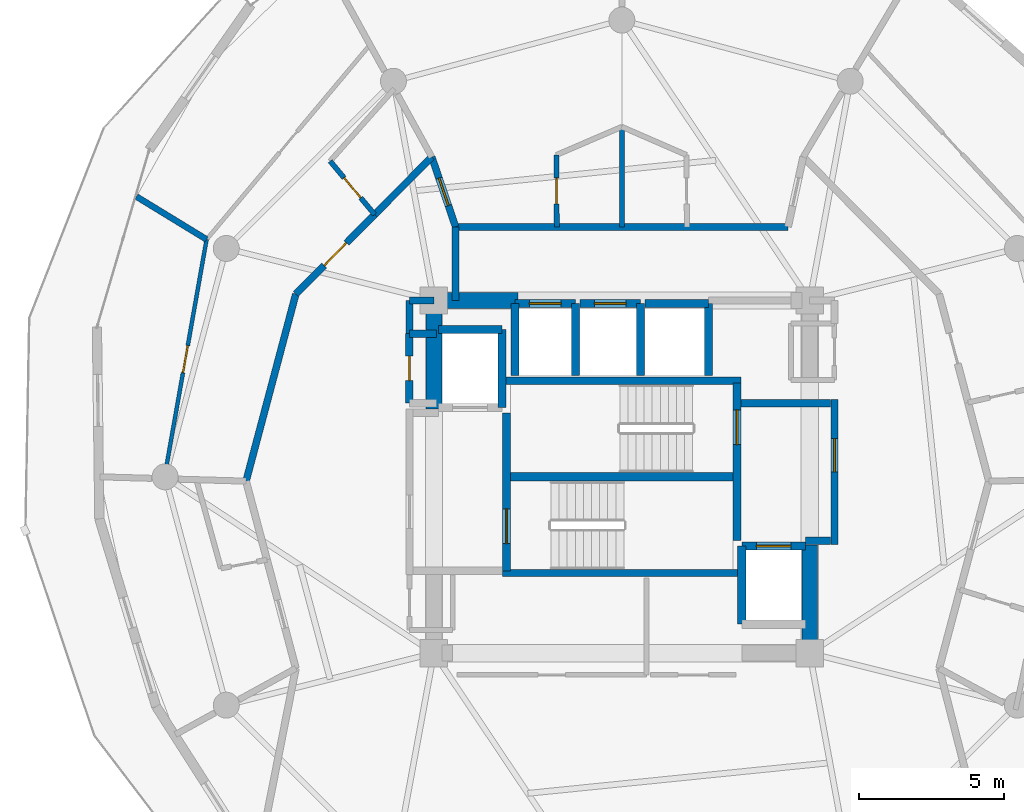
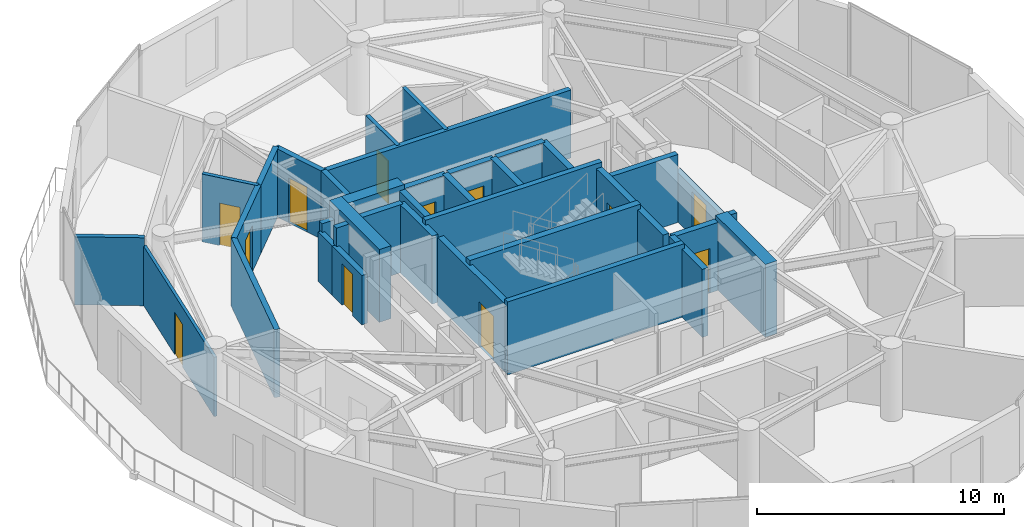
# One storey, part 17 of 21: 37 walls, 12 doors, 12 openings.
"""IFC4 building model written with IfcOpenShell, lengths in metres."""

from ifc_helpers import new_model, si_unit, direction, frame, frame_2d, origin, place, context, subcontext, project, spatial, rectangle, extrude, material, layer, layer_set, type_object, element, fill, save


model = new_model("IFC4")

# Units and contexts
model_context = context("Model", 3, precision=1e-05, world=origin(), true_north=direction((0.0, 1.0)))
body_context = subcontext(model_context, "Body", "Model", "MODEL_VIEW")
ifc_project = project(units=[si_unit("LENGTHUNIT", "METRE"), si_unit("AREAUNIT", "SQUARE_METRE"), si_unit("VOLUMEUNIT", "CUBIC_METRE"), si_unit("PLANEANGLEUNIT", "RADIAN"), si_unit("MASSUNIT", "GRAM", prefix="KILO")], contexts=[model_context])

# Site, building, storey
site_placement = place(None, origin())
site = spatial("IfcSite", under=ifc_project, at=site_placement, CompositionType="ELEMENT")
building_placement = place(site_placement, origin())
building = spatial("IfcBuilding", under=site, at=building_placement, Name="Solvirekh Grand Hotel", CompositionType="ELEMENT")
storey_placement = place(building_placement, frame((0.0, 0.0, 205.60009765625)))
storey = spatial("IfcBuildingStorey", under=building, at=storey_placement, Name="L53", CompositionType="ELEMENT", Elevation=205.60009765625)

# Walls
ifc_material_1 = material(Name="Concrete C50/60", Category="concrete")
ifc_layer_1 = layer(ifc_material_1, 0.35009765625)
ifc_layer_set_1 = layer_set([ifc_layer_1], Name="Concrete C50/60")
wall_type_1 = type_object("IfcWallType", Name="CoreDivWall_RC350", PredefinedType="SOLIDWALL", material=ifc_layer_set_1)
for number, where, z_axis, x_axis, name in (
    (1, (-4.1298828125, -3.324951171875, 0.0), (0.0, 0.0, 1.0), (1.0, 0.0, 0.0), "L53 core stair box wall ST-S"),
    (2, (-4.1298828125, 3.324951171875, 0.0), (0.0, 0.0, 1.0), (1.0, 0.0, 0.0), "L53 core stair box wall ST-N"),
):
    element("IfcWall", number, at=place(storey_placement, frame(where, z_axis=z_axis, x_axis=x_axis)), inside=storey, type_object=wall_type_1, Name=name, PredefinedType="SOLIDWALL", context=body_context, shape_type="SweptSolid", body=[
        extrude(rectangle(XDim=8.259765625, YDim=0.25, at=frame_2d((4.1298828125, 0.0))), origin(), (0.0, 0.0, 1.0), 3.599853515625),
    ])

# Wall, opening, door
ifc_material_2 = material(Name="Concrete C40/50", Category="concrete")
ifc_layer_2 = layer(ifc_material_2, 0.280029296875)
ifc_layer_set_2 = layer_set([ifc_layer_2], Name="Concrete C40/50")
wall_type_2 = type_object("IfcWallType", Name="CoreShaftWall_RC280", PredefinedType="SOLIDWALL", material=ifc_layer_set_2)
wall_1_placement = place(storey_placement, frame((-1.60009765625, 6.0, 0.0), z_axis=(0.0, 0.0, 1.0), x_axis=(-1.0, 0.0, 0.0)))
wall_1 = element("IfcWall", 3, at=wall_1_placement, inside=storey, type_object=wall_type_2, Name="L53 HP-1 hoistway N wall", PredefinedType="SOLIDWALL", context=body_context, shape_type="SweptSolid", body=[
    extrude(rectangle(XDim=2.099853515625, YDim=0.280029296875, at=frame_2d((1.0498046875, 0.0))), origin(), (0.0, 0.0, 1.0), 3.35986328125),
])
opening_1_placement = place(wall_1_placement, frame((0.5, 0.0, 0.0)))
opening_1 = element("IfcOpeningElement", 4, at=opening_1_placement, cuts=wall_1, Name="Opening LD01", PredefinedType="OPENING", context=body_context, shape_type="SweptSolid", body=[
    extrude(rectangle(XDim=1.10009765625, YDim=2.199951171875, at=frame_2d((0.550048828125, 1.10009765625))), frame((0.0, 0.14990234375, 0.0), z_axis=(0.0, -1.0, 0.0), x_axis=(1.0, 0.0, 0.0)), (0.0, 0.0, 1.0), 0.300048828125),
])
ifc_material_3 = material(Name="Fire-Rated Steel Door Assembly", Category="steel")
door_type_1 = type_object("IfcDoorType", Name="Door_LiftLanding_1100X2200", OperationType="SLIDING_TO_LEFT", PredefinedType="DOOR", material=ifc_material_3)
door_1_placement = place(opening_1_placement, origin())
door_1 = element("IfcDoor", 5, at=door_1_placement, inside=storey, type_object=door_type_1, Name="L53 HP-1 sliding lift landing door", OperationType="SLIDING_TO_LEFT", OverallHeight=2.199951171875, OverallWidth=1.10009765625, PredefinedType="DOOR", context=body_context, shape_type="SweptSolid", body=[
    extrude(rectangle(XDim=1.10009765625, YDim=2.199951171875, at=frame_2d((0.550048828125, 1.10009765625))), frame((0.0, 0.02490234375, 0.0), z_axis=(0.0, -1.0, 0.0), x_axis=(1.0, 0.0, 0.0)), (0.0, 0.0, 1.0), 0.050048828125),
])
fill(opening_1, door_1)

# Walls
for number, where, z_axis, x_axis, name in (
    (6, (-3.699951171875, 6.0, 0.0), (0.0, 0.0, 1.0), (0.0, -1.0, 0.0), "L53 HP-1 hoistway W wall"),
    (7, (-1.60009765625, 3.5, 0.0), (0.0, 0.0, 1.0), (0.0, 1.0, 0.0), "L53 HP-1 hoistway E wall"),
):
    element("IfcWall", number, at=place(storey_placement, frame(where, z_axis=z_axis, x_axis=x_axis)), inside=storey, type_object=wall_type_2, Name=name, PredefinedType="SOLIDWALL", context=body_context, shape_type="SweptSolid", body=[
        extrude(rectangle(XDim=2.5, YDim=0.280029296875, at=frame_2d((1.25, 0.0))), origin(), (0.0, 0.0, 1.0), 3.35986328125),
    ])

# Wall, opening, door
wall_2_placement = place(storey_placement, frame((0.64990234375, 6.0, 0.0), z_axis=(0.0, 0.0, 1.0), x_axis=(-1.0, 0.0, 0.0)))
wall_2 = element("IfcWall", 8, at=wall_2_placement, inside=storey, type_object=wall_type_2, Name="L53 HP-2 hoistway N wall", PredefinedType="SOLIDWALL", context=body_context, shape_type="SweptSolid", body=[
    extrude(rectangle(XDim=2.099853515625, YDim=0.280029296875, at=frame_2d((1.0498046875, 0.0))), origin(), (0.0, 0.0, 1.0), 3.35986328125),
])
opening_2_placement = place(wall_2_placement, frame((0.5, 0.0, 0.0)))
opening_2 = element("IfcOpeningElement", 9, at=opening_2_placement, cuts=wall_2, Name="Opening LD01", PredefinedType="OPENING", context=body_context, shape_type="SweptSolid", body=[
    extrude(rectangle(XDim=1.10009765625, YDim=2.199951171875, at=frame_2d((0.550048828125, 1.10009765625))), frame((0.0, 0.14990234375, 0.0), z_axis=(0.0, -1.0, 0.0), x_axis=(1.0, 0.0, 0.0)), (0.0, 0.0, 1.0), 0.300048828125),
])
door_2_placement = place(opening_2_placement, origin())
door_2 = element("IfcDoor", 10, at=door_2_placement, inside=storey, type_object=door_type_1, Name="L53 HP-2 sliding lift landing door", OperationType="SLIDING_TO_LEFT", OverallHeight=2.199951171875, OverallWidth=1.10009765625, PredefinedType="DOOR", context=body_context, shape_type="SweptSolid", body=[
    extrude(rectangle(XDim=1.10009765625, YDim=2.199951171875, at=frame_2d((0.550048828125, 1.10009765625))), frame((0.0, 0.02490234375, 0.0), z_axis=(0.0, -1.0, 0.0), x_axis=(1.0, 0.0, 0.0)), (0.0, 0.0, 1.0), 0.050048828125),
])
fill(opening_2, door_2)

# Walls
wall_3_placement = place(storey_placement, frame((0.64990234375, 3.5, 0.0), z_axis=(0.0, 0.0, 1.0), x_axis=(0.0, 1.0, 0.0)))
element("IfcWall", 11, at=wall_3_placement, inside=storey, type_object=wall_type_2, Name="L53 HP-2 hoistway E wall", PredefinedType="SOLIDWALL", context=body_context, shape_type="SweptSolid", body=[
    extrude(rectangle(XDim=2.5, YDim=0.280029296875, at=frame_2d((1.25, 0.0))), origin(), (0.0, 0.0, 1.0), 3.35986328125),
])
wall_4_placement = place(storey_placement, frame((3.0, 6.0, 0.0), z_axis=(0.0, 0.0, 1.0), x_axis=(-1.0, 0.0, 0.0)))
element("IfcWall", 12, at=wall_4_placement, inside=storey, type_object=wall_type_2, Name="L53 EX-1 hoistway N wall", PredefinedType="SOLIDWALL", context=body_context, shape_type="SweptSolid", body=[
    extrude(rectangle(XDim=2.199951171875, YDim=0.280029296875, at=frame_2d((1.10009765625, 0.0))), origin(), (0.0, 0.0, 1.0), 3.35986328125),
])
wall_5_placement = place(storey_placement, frame((3.0, 3.5, 0.0), z_axis=(0.0, 0.0, 1.0), x_axis=(0.0, 1.0, 0.0)))
element("IfcWall", 13, at=wall_5_placement, inside=storey, type_object=wall_type_2, Name="L53 EX-1 hoistway E wall", PredefinedType="SOLIDWALL", context=body_context, shape_type="SweptSolid", body=[
    extrude(rectangle(XDim=2.5, YDim=0.280029296875, at=frame_2d((1.25, 0.0))), origin(), (0.0, 0.0, 1.0), 3.35986328125),
])
wall_6_placement = place(storey_placement, frame((-4.14990234375, 5.10009765625, 0.0), z_axis=(0.0, 0.0, 1.0), x_axis=(-1.0, 0.0, 0.0)))
element("IfcWall", 14, at=wall_6_placement, inside=storey, type_object=wall_type_2, Name="L53 FL-1 hoistway N wall", PredefinedType="SOLIDWALL", context=body_context, shape_type="SweptSolid", body=[
    extrude(rectangle(XDim=2.2001953125, YDim=0.280029296875, at=frame_2d((1.10009765625, 0.0))), origin(), (0.0, 0.0, 1.0), 3.35986328125),
])
wall_7_placement = place(storey_placement, frame((-4.14990234375, 2.39990234375, 0.0), z_axis=(0.0, 0.0, 1.0), x_axis=(0.0, 1.0, 0.0)))
element("IfcWall", 15, at=wall_7_placement, inside=storey, type_object=wall_type_2, Name="L53 FL-1 hoistway E wall", PredefinedType="SOLIDWALL", context=body_context, shape_type="SweptSolid", body=[
    extrude(rectangle(XDim=2.7001953125, YDim=0.280029296875, at=frame_2d((1.35009765625, 0.0))), origin(), (0.0, 0.0, 1.0), 3.35986328125),
])

# Wall, opening, door
wall_8_placement = place(storey_placement, frame((6.35009765625, -2.39990234375, 0.0), z_axis=(0.0, 0.0, 1.0), x_axis=(-1.0, 0.0, 0.0)))
wall_8 = element("IfcWall", 16, at=wall_8_placement, inside=storey, type_object=wall_type_2, Name="L53 FL-2 hoistway N wall", PredefinedType="SOLIDWALL", context=body_context, shape_type="SweptSolid", body=[
    extrude(rectangle(XDim=2.2001953125, YDim=0.280029296875, at=frame_2d((1.10009765625, 0.0))), origin(), (0.0, 0.0, 1.0), 3.35986328125),
])
opening_3_placement = place(wall_8_placement, frame((0.5, 0.0, 0.0)))
opening_3 = element("IfcOpeningElement", 17, at=opening_3_placement, cuts=wall_8, Name="Opening LD02", PredefinedType="OPENING", context=body_context, shape_type="SweptSolid", body=[
    extrude(rectangle(XDim=1.199951171875, YDim=2.199951171875, at=frame_2d((0.60009765625, 1.10009765625))), frame((0.0, 0.14990234375, 0.0), z_axis=(0.0, -1.0, 0.0), x_axis=(1.0, 0.0, 0.0)), (0.0, 0.0, 1.0), 0.300048828125),
])
door_type_2 = type_object("IfcDoorType", Name="Door_LiftFF_1200X2200", OperationType="SLIDING_TO_LEFT", PredefinedType="DOOR", material=ifc_material_3)
door_3_placement = place(opening_3_placement, origin())
door_3 = element("IfcDoor", 18, at=door_3_placement, inside=storey, type_object=door_type_2, Name="L53 FL-2 sliding lift landing door", OperationType="SLIDING_TO_LEFT", OverallHeight=2.199951171875, OverallWidth=1.199951171875, PredefinedType="DOOR", context=body_context, shape_type="SweptSolid", body=[
    extrude(rectangle(XDim=1.199951171875, YDim=2.199951171875, at=frame_2d((0.60009765625, 1.10009765625))), frame((0.0, 0.02490234375, 0.0), z_axis=(0.0, -1.0, 0.0), x_axis=(1.0, 0.0, 0.0)), (0.0, 0.0, 1.0), 0.050048828125),
])
fill(opening_3, door_3)

# Wall
wall_9_placement = place(storey_placement, frame((4.14990234375, -2.39990234375, 0.0), z_axis=(0.0, 0.0, 1.0), x_axis=(0.0, -1.0, 0.0)))
element("IfcWall", 19, at=wall_9_placement, inside=storey, type_object=wall_type_2, Name="L53 FL-2 hoistway W wall", PredefinedType="SOLIDWALL", context=body_context, shape_type="SweptSolid", body=[
    extrude(rectangle(XDim=2.7001953125, YDim=0.280029296875, at=frame_2d((1.35009765625, 0.0))), origin(), (0.0, 0.0, 1.0), 3.35986328125),
])

# Wall, opening, door
wall_10_placement = place(storey_placement, frame((-3.989990234375, -3.25, 0.0), z_axis=(0.0, 0.0, 1.0), x_axis=(0.0, 1.0, 0.0)))
wall_10 = element("IfcWall", 20, at=wall_10_placement, inside=storey, type_object=wall_type_2, Name="L53 west stair landing enclosure wall", PredefinedType="SOLIDWALL", context=body_context, shape_type="SweptSolid", body=[
    extrude(rectangle(XDim=5.4599609375, YDim=0.280029296875, at=frame_2d((2.72998046875, 0.0))), origin(), (0.0, 0.0, 1.0), 3.35986328125),
])
opening_4_placement = place(wall_10_placement, frame((0.93701171875, 0.0, 0.0)))
opening_4 = element("IfcOpeningElement", 21, at=opening_4_placement, cuts=wall_10, Name="Opening D05", PredefinedType="OPENING", context=body_context, shape_type="SweptSolid", body=[
    extrude(rectangle(XDim=1.199951171875, YDim=2.199951171875, at=frame_2d((0.60009765625, 1.10009765625))), frame((0.0, 0.14990234375, 0.0), z_axis=(0.0, -1.0, 0.0), x_axis=(1.0, 0.0, 0.0)), (0.0, 0.0, 1.0), 0.300048828125),
])
door_type_3 = type_object("IfcDoorType", Name="Door_StairCore_1200X2200", OperationType="NOTDEFINED", PredefinedType="DOOR", material=ifc_material_3)
door_4_placement = place(opening_4_placement, origin())
door_4 = element("IfcDoor", 22, at=door_4_placement, inside=storey, type_object=door_type_3, Name="L53 exit stair ST-1 fire door", OperationType="SINGLE_SWING_RIGHT", OverallHeight=2.199951171875, OverallWidth=1.199951171875, PredefinedType="DOOR", context=body_context, shape_type="SweptSolid", body=[
    extrude(rectangle(XDim=1.199951171875, YDim=2.199951171875, at=frame_2d((0.60009765625, 1.10009765625))), frame((0.0, 0.02490234375, 0.0), z_axis=(0.0, -1.0, 0.0), x_axis=(1.0, 0.0, 0.0)), (0.0, 0.0, 1.0), 0.050048828125),
])
fill(opening_4, door_4)

wall_11_placement = place(storey_placement, frame((3.989990234375, -2.2099609375, 0.0), z_axis=(0.0, 0.0, 1.0), x_axis=(0.0, 1.0, 0.0)))
wall_11 = element("IfcWall", 23, at=wall_11_placement, inside=storey, type_object=wall_type_2, Name="L53 east stair landing enclosure wall", PredefinedType="SOLIDWALL", context=body_context, shape_type="SweptSolid", body=[
    extrude(rectangle(XDim=5.4599609375, YDim=0.280029296875, at=frame_2d((2.72998046875, 0.0))), origin(), (0.0, 0.0, 1.0), 3.35986328125),
])
opening_5_placement = place(wall_11_placement, frame((3.322998046875, 0.0, 0.0)))
opening_5 = element("IfcOpeningElement", 24, at=opening_5_placement, cuts=wall_11, Name="Opening D05", PredefinedType="OPENING", context=body_context, shape_type="SweptSolid", body=[
    extrude(rectangle(XDim=1.199951171875, YDim=2.199951171875, at=frame_2d((0.60009765625, 1.10009765625))), frame((0.0, 0.14990234375, 0.0), z_axis=(0.0, -1.0, 0.0), x_axis=(1.0, 0.0, 0.0)), (0.0, 0.0, 1.0), 0.300048828125),
])
door_5_placement = place(opening_5_placement, origin())
door_5 = element("IfcDoor", 25, at=door_5_placement, inside=storey, type_object=door_type_3, Name="L53 exit stair ST-2 fire door", OperationType="SINGLE_SWING_LEFT", OverallHeight=2.199951171875, OverallWidth=1.199951171875, PredefinedType="DOOR", context=body_context, shape_type="SweptSolid", body=[
    extrude(rectangle(XDim=1.199951171875, YDim=2.199951171875, at=frame_2d((0.60009765625, 1.10009765625))), frame((0.0, 0.02490234375, 0.0), z_axis=(0.0, -1.0, 0.0), x_axis=(1.0, 0.0, 0.0)), (0.0, 0.0, 1.0), 0.050048828125),
])
fill(opening_5, door_5)

# Walls
ifc_layer_3 = layer(ifc_material_1, 0.550048828125)
ifc_layer_set_3 = layer_set([ifc_layer_3], Name="Concrete C50/60")
wall_type_3 = type_object("IfcWallType", Name="CoreWall_RC550", PredefinedType="SHEAR", material=ifc_layer_set_3)
wall_12_placement = place(storey_placement, frame((-3.989990234375, 0.0, 0.0), z_axis=(0.0, 0.0, 1.0), x_axis=(1.0, 0.0, 0.0)))
element("IfcWall", 26, at=wall_12_placement, inside=storey, type_object=wall_type_3, Name="L53 central stair-spine shear wall", PredefinedType="SHEAR", context=body_context, shape_type="SweptSolid", body=[
    extrude(rectangle(XDim=7.97998046875, YDim=0.300048828125, at=frame_2d((3.989990234375, 0.0))), origin(), (0.0, 0.0, 1.0), 3.599853515625),
])
wall_13_placement = place(storey_placement, frame((-6.22509765625, 6.10009765625, 0.0), z_axis=(0.0, 0.0, 1.0), x_axis=(1.0, 0.0, 0.0)))
element("IfcWall", 27, at=wall_13_placement, inside=storey, type_object=wall_type_3, Name="L53 core corner shear wall NW-N", PredefinedType="SHEAR", context=body_context, shape_type="SweptSolid", body=[
    extrude(rectangle(XDim=2.625, YDim=0.550048828125, at=frame_2d((1.3125, 0.0))), origin(), (0.0, 0.0, 1.0), 3.599853515625),
])
for number, where, z_axis, x_axis, name in (
    (28, (-6.5, 2.35009765625, 0.0), (0.0, 0.0, 1.0), (0.0, 1.0, 0.0), "L53 core corner shear wall WN-W"),
    (29, (6.5, -6.375, 0.0), (0.0, 0.0, 1.0), (0.0, 1.0, 0.0), "L53 core corner shear wall ES-E"),
):
    element("IfcWall", number, at=place(storey_placement, frame(where, z_axis=z_axis, x_axis=x_axis)), inside=storey, type_object=wall_type_3, Name=name, PredefinedType="SHEAR", context=body_context, shape_type="SweptSolid", body=[
        extrude(rectangle(XDim=4.02490234375, YDim=0.550048828125, at=frame_2d((2.012451171875, 0.0))), origin(), (0.0, 0.0, 1.0), 3.599853515625),
    ])

# Wall, opening, door
ifc_material_4 = material(Name="Acoustic Gypsum Partition Assembly")
ifc_layer_4 = layer(ifc_material_4, 0.239990234375)
ifc_layer_set_4 = layer_set([ifc_layer_4], Name="Acoustic Gypsum Partition Assembly")
wall_type_4 = type_object("IfcWallType", Name="Part_Corridor_240", PredefinedType="PARTITIONING", material=ifc_layer_set_4)
wall_14_placement = place(storey_placement, frame((7.35009765625, -2.340087890625, 0.0), z_axis=(0.0, 0.0, 1.0), x_axis=(0.0, 1.0, 0.0)))
wall_14 = element("IfcWall", 30, at=wall_14_placement, inside=storey, type_object=wall_type_4, Name="L53 east firefighting lobby smoke screen wall", PredefinedType="PARTITIONING", context=body_context, shape_type="SweptSolid", body=[
    extrude(rectangle(XDim=5.02001953125, YDim=0.239990234375, at=frame_2d((2.510009765625, 0.0))), origin(), (0.0, 0.0, 1.0), 2.44482421875),
])
opening_6_placement = place(wall_14_placement, frame((2.514892578125, 0.0, 0.0)))
opening_6 = element("IfcOpeningElement", 31, at=opening_6_placement, cuts=wall_14, Name="Opening D06", PredefinedType="OPENING", context=body_context, shape_type="SweptSolid", body=[
    extrude(rectangle(XDim=1.14990234375, YDim=2.199951171875, at=frame_2d((0.574951171875, 1.10009765625))), frame((0.0, 0.1298828125, 0.0), z_axis=(0.0, -1.0, 0.0), x_axis=(1.0, 0.0, 0.0)), (0.0, 0.0, 1.0), 0.260009765625),
])
door_type_4 = type_object("IfcDoorType", Name="Door_FFLobby_1150X2200", OperationType="NOTDEFINED", PredefinedType="DOOR", material=ifc_material_3)
door_6_placement = place(opening_6_placement, origin())
door_6 = element("IfcDoor", 32, at=door_6_placement, inside=storey, type_object=door_type_4, Name="L53 east firefighting lobby smoke door", OperationType="SINGLE_SWING_LEFT", OverallHeight=2.199951171875, OverallWidth=1.14990234375, PredefinedType="DOOR", context=body_context, shape_type="SweptSolid", body=[
    extrude(rectangle(XDim=1.14990234375, YDim=2.199951171875, at=frame_2d((0.574951171875, 1.10009765625))), frame((0.0, 0.02490234375, 0.0), z_axis=(0.0, -1.0, 0.0), x_axis=(1.0, 0.0, 0.0)), (0.0, 0.0, 1.0), 0.050048828125),
])
fill(opening_6, door_6)

# Walls
wall_15_placement = place(storey_placement, frame((-5.75, 8.64990234375, 0.0), z_axis=(0.0, 0.0, 1.0), x_axis=(1.0, 0.0, 0.0)))
element("IfcWall", 33, at=wall_15_placement, inside=storey, type_object=wall_type_4, Name="L53 north lift lobby enclosure wall", PredefinedType="PARTITIONING", context=body_context, shape_type="SweptSolid", body=[
    extrude(rectangle(XDim=11.5, YDim=0.239990234375, at=frame_2d((5.75, 0.0))), origin(), (0.0, 0.0, 1.0), 3.35986328125),
])
wall_16_placement = place(storey_placement, frame((-5.75, 6.10009765625, 0.0), z_axis=(0.0, 0.0, 1.0), x_axis=(0.0, 1.0, 0.0)))
element("IfcWall", 34, at=wall_16_placement, inside=storey, type_object=wall_type_4, Name="L53 north lift lobby west wall", PredefinedType="PARTITIONING", context=body_context, shape_type="SweptSolid", body=[
    extrude(rectangle(XDim=2.5498046875, YDim=0.239990234375, at=frame_2d((1.27490234375, 0.0))), origin(), (0.0, 0.0, 1.0), 3.35986328125),
])
wall_17_placement = place(storey_placement, frame((-7.35009765625, 4.949951171875, 0.0), z_axis=(0.0, 0.0, 1.0), x_axis=(0.0, 1.0, 0.0)))
element("IfcWall", 35, at=wall_17_placement, inside=storey, type_object=wall_type_4, Name="L53 NW core cheek closure wall", PredefinedType="PARTITIONING", context=body_context, shape_type="SweptSolid", body=[
    extrude(rectangle(XDim=1.150146484375, YDim=0.239990234375, at=frame_2d((0.5751953125, 0.0))), origin(), (0.0, 0.0, 1.0), 2.44482421875),
])
wall_18_placement = place(storey_placement, frame((-7.35009765625, 6.10009765625, 0.0), z_axis=(0.0, 0.0, 1.0), x_axis=(1.0, 0.0, 0.0)))
element("IfcWall", 36, at=wall_18_placement, inside=storey, type_object=wall_type_4, Name="L53 NW core corner tie wall", PredefinedType="PARTITIONING", context=body_context, shape_type="SweptSolid", body=[
    extrude(rectangle(XDim=0.85009765625, YDim=0.239990234375, at=frame_2d((0.425048828125, 0.0))), origin(), (0.0, 0.0, 1.0), 2.876953125),
])

# Wall, opening, door
wall_19_placement = place(storey_placement, frame((-6.574951171875, 11.06494140625, 0.0), z_axis=(0.0, 0.0, 1.0), x_axis=(0.323250422642, -0.946313459833, 0.0)))
wall_19 = element("IfcWall", 37, at=wall_19_placement, inside=storey, type_object=wall_type_4, Name="L53 Panorama Suite 5502 entrance wall", PredefinedType="PARTITIONING", context=body_context, shape_type="SweptSolid", body=[
    extrude(rectangle(XDim=2.552001953125, YDim=0.239990234375, at=frame_2d((1.27587890625, 0.0))), origin(), (0.0, 0.0, 1.0), 3.35986328125),
])
opening_7_placement = place(wall_19_placement, frame((0.77587890625, 0.0, 0.0)))
opening_7 = element("IfcOpeningElement", 38, at=opening_7_placement, cuts=wall_19, Name="Opening D07", PredefinedType="OPENING", context=body_context, shape_type="SweptSolid", body=[
    extrude(rectangle(XDim=1.0, YDim=2.199951171875, at=frame_2d((0.5, 1.10009765625))), frame((0.0, 0.1298828125, 0.0), z_axis=(0.0, -1.0, 0.0), x_axis=(1.0, 0.0, 0.0)), (0.0, 0.0, 1.0), 0.260009765625),
])
door_type_5 = type_object("IfcDoorType", Name="Door_GuestEntry_1000X2200", OperationType="NOTDEFINED", PredefinedType="DOOR", material=ifc_material_3)
door_7_placement = place(opening_7_placement, origin())
door_7 = element("IfcDoor", 39, at=door_7_placement, inside=storey, type_object=door_type_5, Name="L53 Panorama Suite 5502 entrance door", OperationType="SINGLE_SWING_RIGHT", OverallHeight=2.199951171875, OverallWidth=1.0, PredefinedType="DOOR", context=body_context, shape_type="SweptSolid", body=[
    extrude(rectangle(XDim=1.0, YDim=2.199951171875, at=frame_2d((0.5, 1.10009765625))), frame((0.0, 0.02490234375, 0.0), z_axis=(0.0, -1.0, 0.0), x_axis=(1.0, 0.0, 0.0)), (0.0, 0.0, 1.0), 0.050048828125),
])
fill(opening_7, door_7)

# Walls
wall_20_placement = place(storey_placement, frame((-6.574951171875, 11.06494140625, 0.0), z_axis=(0.0, 0.0, 1.0), x_axis=(-0.704271845888, -0.709930395947, 0.0)))
element("IfcWall", 40, at=wall_20_placement, inside=storey, type_object=wall_type_4, Name="L53 En-suite Bathroom 5503 corridor backing wall", PredefinedType="PARTITIONING", context=body_context, shape_type="SweptSolid", body=[
    extrude(rectangle(XDim=2.804443359375, YDim=0.239990234375, at=frame_2d((1.40234375, 0.0))), origin(), (0.0, 0.0, 1.0), 3.35986328125),
])
wall_21_placement = place(storey_placement, frame((-11.278076171875, 6.324951171875, 0.0), z_axis=(0.0, 0.0, 1.0), x_axis=(-0.257007135557, -0.966409505475, 0.0)))
element("IfcWall", 41, at=wall_21_placement, inside=storey, type_object=wall_type_4, Name="L53 Executive Suite 5503 Living Room corridor wall 1", PredefinedType="PARTITIONING", context=body_context, shape_type="SweptSolid", body=[
    extrude(rectangle(XDim=6.699951171875, YDim=0.239990234375, at=frame_2d((3.35009765625, 0.0))), origin(), (0.0, 0.0, 1.0), 3.35986328125),
])

# Wall, opening, door
wall_22_placement = place(storey_placement, frame((-8.550048828125, 9.073974609375, 0.0), z_axis=(0.0, 0.0, 1.0), x_axis=(-0.704390934975, -0.709812236246, 0.0)))
wall_22 = element("IfcWall", 42, at=wall_22_placement, inside=storey, type_object=wall_type_4, Name="L53 Executive Suite 5503 Living Room entrance wall", PredefinedType="PARTITIONING", context=body_context, shape_type="SweptSolid", body=[
    extrude(rectangle(XDim=3.872802734375, YDim=0.239990234375, at=frame_2d((1.9365234375, 0.0))), origin(), (0.0, 0.0, 1.0), 3.35986328125),
])
opening_8_placement = place(wall_22_placement, frame((1.385986328125, 0.0, 0.0)))
opening_8 = element("IfcOpeningElement", 43, at=opening_8_placement, cuts=wall_22, Name="Opening D08", PredefinedType="OPENING", context=body_context, shape_type="SweptSolid", body=[
    extrude(rectangle(XDim=1.10009765625, YDim=2.300048828125, at=frame_2d((0.550048828125, 1.14990234375))), frame((0.0, 0.1298828125, 0.0), z_axis=(0.0, -1.0, 0.0), x_axis=(1.0, 0.0, 0.0)), (0.0, 0.0, 1.0), 0.260009765625),
])
door_type_6 = type_object("IfcDoorType", Name="Door_SuiteEntry_1100X2300", OperationType="NOTDEFINED", PredefinedType="DOOR", material=ifc_material_3)
door_8_placement = place(opening_8_placement, origin())
door_8 = element("IfcDoor", 44, at=door_8_placement, inside=storey, type_object=door_type_6, Name="L53 Executive Suite 5503 Living Room entrance door", OperationType="SINGLE_SWING_RIGHT", OverallHeight=2.300048828125, OverallWidth=1.10009765625, PredefinedType="DOOR", context=body_context, shape_type="SweptSolid", body=[
    extrude(rectangle(XDim=1.10009765625, YDim=2.300048828125, at=frame_2d((0.550048828125, 1.14990234375))), frame((0.0, 0.02490234375, 0.0), z_axis=(0.0, -1.0, 0.0), x_axis=(1.0, 0.0, 0.0)), (0.0, 0.0, 1.0), 0.050048828125),
])
fill(opening_8, door_8)

# Walls
ifc_layer_5 = layer(ifc_material_4, 0.260009765625)
ifc_layer_set_5 = layer_set([ifc_layer_5], Name="Acoustic Gypsum Partition Assembly")
wall_type_5 = type_object("IfcWallType", Name="Part_LobbyFF_260", PredefinedType="PARTITIONING", material=ifc_layer_set_5)
wall_23_placement = place(storey_placement, frame((6.35009765625, -2.2099609375, 0.0), z_axis=(0.0, 0.0, 1.0), x_axis=(1.0, 0.0, 0.0)))
element("IfcWall", 45, at=wall_23_placement, inside=storey, type_object=wall_type_5, Name="L53 east firefighting lobby SE cheek", PredefinedType="PARTITIONING", context=body_context, shape_type="SweptSolid", body=[
    extrude(rectangle(XDim=0.875, YDim=0.260009765625, at=frame_2d((0.4375, 0.0))), origin(), (0.0, 0.0, 1.0), 3.35986328125),
])
wall_24_placement = place(storey_placement, frame((4.1298828125, 2.550048828125, 0.0), z_axis=(0.0, 0.0, 1.0), x_axis=(1.0, 0.0, 0.0)))
element("IfcWall", 46, at=wall_24_placement, inside=storey, type_object=wall_type_5, Name="L53 east firefighting lobby north partition", PredefinedType="PARTITIONING", context=body_context, shape_type="SweptSolid", body=[
    extrude(rectangle(XDim=3.09521484375, YDim=0.260009765625, at=frame_2d((1.547607421875, 0.0))), origin(), (0.0, 0.0, 1.0), 3.35986328125),
])
wall_25_placement = place(storey_placement, frame((-7.35009765625, 4.949951171875, 0.0), z_axis=(0.0, 0.0, 1.0), x_axis=(1.0, 0.0, 0.0)))
element("IfcWall", 47, at=wall_25_placement, inside=storey, type_object=wall_type_5, Name="L53 NW telecom metering cupboard north wall", PredefinedType="PARTITIONING", context=body_context, shape_type="SweptSolid", body=[
    extrude(rectangle(XDim=0.93017578125, YDim=0.260009765625, at=frame_2d((0.465087890625, 0.0))), origin(), (0.0, 0.0, 1.0), 3.35986328125),
])

# Wall, opening, door
wall_26_placement = place(storey_placement, frame((-7.35009765625, 2.550048828125, 0.0), z_axis=(0.0, 0.0, 1.0), x_axis=(0.0, 1.0, 0.0)))
wall_26 = element("IfcWall", 48, at=wall_26_placement, inside=storey, type_object=wall_type_5, Name="L53 NW telecom metering cupboard access wall", PredefinedType="PARTITIONING", context=body_context, shape_type="SweptSolid", body=[
    extrude(rectangle(XDim=2.39990234375, YDim=0.260009765625, at=frame_2d((1.199951171875, 0.0))), origin(), (0.0, 0.0, 1.0), 2.44482421875),
])
opening_9_placement = place(wall_26_placement, frame((0.77490234375, 0.0, 0.0)))
opening_9 = element("IfcOpeningElement", 49, at=opening_9_placement, cuts=wall_26, Name="Opening D13", PredefinedType="OPENING", context=body_context, shape_type="SweptSolid", body=[
    extrude(rectangle(XDim=0.85009765625, YDim=2.050048828125, at=frame_2d((0.425048828125, 1.02490234375))), frame((0.0, 0.14013671875, 0.0), z_axis=(0.0, -1.0, 0.0), x_axis=(1.0, 0.0, 0.0)), (0.0, 0.0, 1.0), 0.280029296875),
])
door_type_7 = type_object("IfcDoorType", Name="Door_RiserShaft_850X2050", OperationType="NOTDEFINED", PredefinedType="DOOR", material=ifc_material_3)
door_9_placement = place(opening_9_placement, origin())
door_9 = element("IfcDoor", 50, at=door_9_placement, inside=storey, type_object=door_type_7, Name="L53 telecom metering cupboard access door", OperationType="SINGLE_SWING_RIGHT", OverallHeight=2.050048828125, OverallWidth=0.85009765625, PredefinedType="DOOR", context=body_context, shape_type="SweptSolid", body=[
    extrude(rectangle(XDim=0.85009765625, YDim=2.050048828125, at=frame_2d((0.425048828125, 1.02490234375))), frame((0.0, 0.02490234375, 0.0), z_axis=(0.0, -1.0, 0.0), x_axis=(1.0, 0.0, 0.0)), (0.0, 0.0, 1.0), 0.050048828125),
])
fill(opening_9, door_9)

ifc_layer_6 = layer(ifc_material_4, 0.135009765625)
ifc_layer_set_6 = layer_set([ifc_layer_6], Name="Acoustic Gypsum Partition Assembly")
wall_type_6 = type_object("IfcWallType", Name="Part_RoomInt_135", PredefinedType="PARTITIONING", material=ifc_layer_set_6)
wall_27_placement = place(storey_placement, frame((-14.364990234375, 8.2119140625, 0.0), z_axis=(0.0, 0.0, 1.0), x_axis=(-0.174280681656, -0.984696016038, 0.0)))
wall_27 = element("IfcWall", 51, at=wall_27_placement, inside=storey, type_object=wall_type_6, Name="L53 Executive Suite 5503 Panorama Suite Study bedroom screen wall", PredefinedType="PARTITIONING", context=body_context, shape_type="SweptSolid", body=[
    extrude(rectangle(XDim=8.406494140625, YDim=0.135009765625, at=frame_2d((4.203125, 0.0))), origin(), (0.0, 0.0, 1.0), 2.928955078125),
])
opening_10_placement = place(wall_27_placement, frame((3.72802734375, 0.0, 0.0)))
opening_10 = element("IfcOpeningElement", 52, at=opening_10_placement, cuts=wall_27, Name="Opening D10", PredefinedType="OPENING", context=body_context, shape_type="SweptSolid", body=[
    extrude(rectangle(XDim=0.949951171875, YDim=2.10009765625, at=frame_2d((0.47509765625, 1.050048828125))), frame((0.0, 0.07763671875, 0.0), z_axis=(0.0, -1.0, 0.0), x_axis=(1.0, 0.0, 0.0)), (0.0, 0.0, 1.0), 0.155029296875),
])
ifc_material_5 = material(Name="Anodized Bronze Aluminium 6063-T6", Category="aluminium")
door_type_8 = type_object("IfcDoorType", Name="Door_RoomInt_950X2100", OperationType="NOTDEFINED", PredefinedType="DOOR", material=ifc_material_5)
door_10_placement = place(opening_10_placement, origin())
door_10 = element("IfcDoor", 53, at=door_10_placement, inside=storey, type_object=door_type_8, Name="L53 Executive Suite 5503 Panorama Suite Study master bedroom door", OperationType="SINGLE_SWING_RIGHT", OverallHeight=2.10009765625, OverallWidth=0.949951171875, PredefinedType="DOOR", context=body_context, shape_type="SweptSolid", body=[
    extrude(rectangle(XDim=0.949951171875, YDim=2.10009765625, at=frame_2d((0.47509765625, 1.050048828125))), frame((0.0, 0.02490234375, 0.0), z_axis=(0.0, -1.0, 0.0), x_axis=(1.0, 0.0, 0.0)), (0.0, 0.0, 1.0), 0.050048828125),
])
fill(opening_10, door_10)

# Walls
ifc_layer_7 = layer(ifc_material_4, 0.2099609375)
ifc_layer_set_7 = layer_set([ifc_layer_7], Name="Acoustic Gypsum Partition Assembly")
wall_type_7 = type_object("IfcWallType", Name="Part_SuiteDemise_210", PredefinedType="PARTITIONING", material=ifc_layer_set_7)
wall_28_placement = place(storey_placement, frame((-14.364990234375, 8.2119140625, 0.0), z_axis=(0.0, 0.0, 1.0), x_axis=(-0.853249981301, 0.521502127905, 0.0)))
element("IfcWall", 54, at=wall_28_placement, inside=storey, type_object=wall_type_7, Name="L53 Executive Suite 5503 Living Room dividing partition 1", PredefinedType="PARTITIONING", context=body_context, shape_type="SweptSolid", body=[
    extrude(rectangle(XDim=2.842041015625, YDim=0.2099609375, at=frame_2d((1.4208984375, 0.0))), origin(), (0.0, 0.0, 1.0), 3.35986328125),
])
ifc_layer_8 = layer(ifc_material_4, 0.175048828125)
ifc_layer_set_8 = layer_set([ifc_layer_8], Name="Acoustic Gypsum Partition Assembly")
wall_type_8 = type_object("IfcWallType", Name="Plumb_Ensuite_175", PredefinedType="PLUMBINGWALL", material=ifc_layer_set_8)
wall_29_placement = place(storey_placement, frame((0.0, 12.10693359375, 0.0), z_axis=(0.0, 0.0, 1.0), x_axis=(0.0, -1.0, 0.0)))
element("IfcWall", 55, at=wall_29_placement, inside=storey, type_object=wall_type_8, Name="L53 En-suite Bathroom 5501 side plumbing wall", PredefinedType="PLUMBINGWALL", context=body_context, shape_type="SweptSolid", body=[
    extrude(rectangle(XDim=3.45703125, YDim=0.175048828125, at=frame_2d((1.728515625, 0.0))), origin(), (0.0, 0.0, 1.0), 3.35986328125),
])

# Wall, opening, door
wall_30_placement = place(storey_placement, frame((-2.263916015625, 11.134033203125, 0.0), z_axis=(0.0, 0.0, 1.0), x_axis=(0.005601877704, -0.99998430936, 0.0)))
wall_30 = element("IfcWall", 56, at=wall_30_placement, inside=storey, type_object=wall_type_8, Name="L53 En-suite Bathroom 5502 entry plumbing wall", PredefinedType="PLUMBINGWALL", context=body_context, shape_type="SweptSolid", body=[
    extrude(rectangle(XDim=2.484130859375, YDim=0.175048828125, at=frame_2d((1.2421875, 0.0))), origin(), (0.0, 0.0, 1.0), 3.35986328125),
])
opening_11_placement = place(wall_30_placement, frame((0.7919921875, 0.0, 0.0)))
opening_11 = element("IfcOpeningElement", 57, at=opening_11_placement, cuts=wall_30, Name="Opening D09", PredefinedType="OPENING", context=body_context, shape_type="SweptSolid", body=[
    extrude(rectangle(XDim=0.89990234375, YDim=2.10009765625, at=frame_2d((0.449951171875, 1.050048828125))), frame((0.0, 0.09765625, 0.0), z_axis=(0.0, -1.0, 0.0), x_axis=(1.0, 0.0, 0.0)), (0.0, 0.0, 1.0), 0.195068359375),
])
door_type_9 = type_object("IfcDoorType", Name="Door_Ensuite_900X2100", OperationType="NOTDEFINED", PredefinedType="DOOR", material=ifc_material_5)
door_11_placement = place(opening_11_placement, origin())
door_11 = element("IfcDoor", 58, at=door_11_placement, inside=storey, type_object=door_type_9, Name="L53 En-suite Bathroom 5502 door", OperationType="SINGLE_SWING_LEFT", OverallHeight=2.10009765625, OverallWidth=0.89990234375, PredefinedType="DOOR", context=body_context, shape_type="SweptSolid", body=[
    extrude(rectangle(XDim=0.89990234375, YDim=2.10009765625, at=frame_2d((0.449951171875, 1.050048828125))), frame((0.0, 0.02490234375, 0.0), z_axis=(0.0, -1.0, 0.0), x_axis=(1.0, 0.0, 0.0)), (0.0, 0.0, 1.0), 0.050048828125),
])
fill(opening_11, door_11)

wall_31_placement = place(storey_placement, frame((-8.550048828125, 9.073974609375, 0.0), z_axis=(0.0, 0.0, 1.0), x_axis=(-0.640164435278, 0.768237916147, 0.0)))
wall_31 = element("IfcWall", 59, at=wall_31_placement, inside=storey, type_object=wall_type_8, Name="L53 En-suite Bathroom 5503 entry plumbing wall", PredefinedType="PLUMBINGWALL", context=body_context, shape_type="SweptSolid", body=[
    extrude(rectangle(XDim=2.40576171875, YDim=0.175048828125, at=frame_2d((1.202880859375, 0.0))), origin(), (0.0, 0.0, 1.0), 3.35986328125),
])
opening_12_placement = place(wall_31_placement, frame((0.7529296875, 0.0, 0.0)))
opening_12 = element("IfcOpeningElement", 60, at=opening_12_placement, cuts=wall_31, Name="Opening D09", PredefinedType="OPENING", context=body_context, shape_type="SweptSolid", body=[
    extrude(rectangle(XDim=0.89990234375, YDim=2.10009765625, at=frame_2d((0.449951171875, 1.050048828125))), frame((0.0, 0.09765625, 0.0), z_axis=(0.0, -1.0, 0.0), x_axis=(1.0, 0.0, 0.0)), (0.0, 0.0, 1.0), 0.195068359375),
])
door_12_placement = place(opening_12_placement, origin())
door_12 = element("IfcDoor", 61, at=door_12_placement, inside=storey, type_object=door_type_9, Name="L53 En-suite Bathroom 5503 door", OperationType="SINGLE_SWING_LEFT", OverallHeight=2.10009765625, OverallWidth=0.89990234375, PredefinedType="DOOR", context=body_context, shape_type="SweptSolid", body=[
    extrude(rectangle(XDim=0.89990234375, YDim=2.10009765625, at=frame_2d((0.449951171875, 1.050048828125))), frame((0.0, 0.02490234375, 0.0), z_axis=(0.0, -1.0, 0.0), x_axis=(1.0, 0.0, 0.0)), (0.0, 0.0, 1.0), 0.050048828125),
])
fill(opening_12, door_12)

save(model, "model.ifc")
